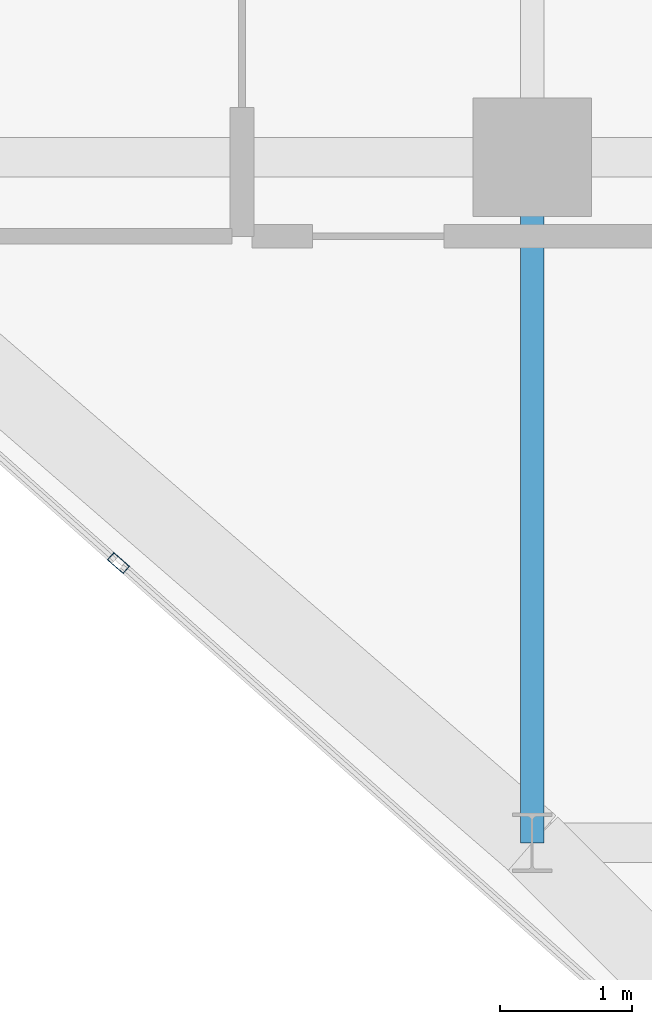
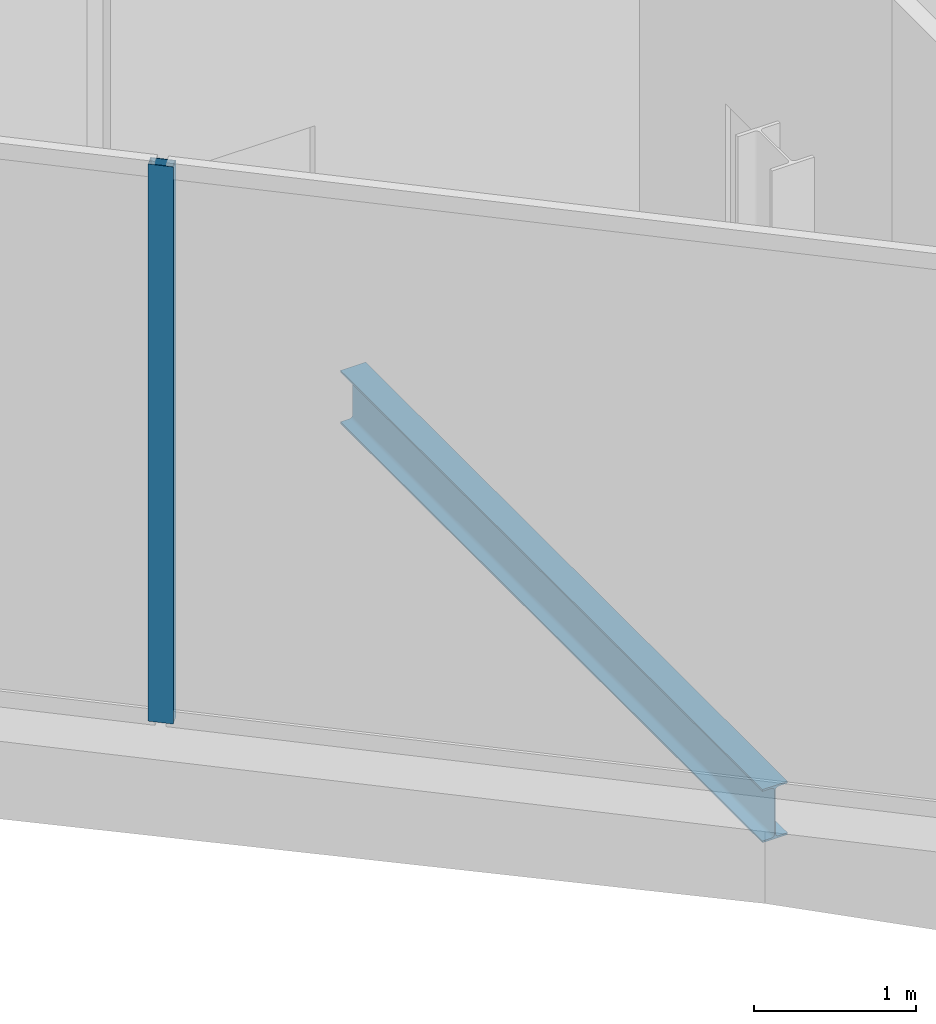
# One storey, part 4 of 28: 1 beam, 1 member, 1 element without a shape of its own.
"""IFC4 building model written with IfcOpenShell, lengths in metres."""

from ifc_helpers import new_model, si_unit, direction, frame, origin, origin_2d, place, context, subcontext, project, spatial, hollow_rectangle, i_section, extrude, material, layer, layer_set, material_profile, profile_set, type_object, element, aggregate, save


model = new_model("IFC4")

# Units and contexts
model_context = context("Model", 3, precision=1e-05, world=origin(), true_north=direction((0.0, 1.0)))
body_context = subcontext(model_context, "Body", "Model", "MODEL_VIEW")
ifc_project = project(units=[si_unit("LENGTHUNIT", "METRE"), si_unit("AREAUNIT", "SQUARE_METRE"), si_unit("VOLUMEUNIT", "CUBIC_METRE"), si_unit("PLANEANGLEUNIT", "RADIAN"), si_unit("MASSUNIT", "GRAM", prefix="KILO")], contexts=[model_context])

# Site, building, storey
site_placement = place(None, origin())
site = spatial("IfcSite", under=ifc_project, at=site_placement, CompositionType="ELEMENT")
building_placement = place(site_placement, origin())
building = spatial("IfcBuilding", under=site, at=building_placement, Name="Keshet Zoharim Tower", CompositionType="ELEMENT")
storey_placement = place(building_placement, frame((0.0, 0.0, 164.60009765625)))
storey = spatial("IfcBuildingStorey", under=building, at=storey_placement, Name="L40", CompositionType="ELEMENT", Elevation=164.60009765625)

# Beam
ifc_material_1 = material(Name="Steel S355", Category="steel")
ifc_material_profile_1 = material_profile(ifc_material_1, i_section(OverallWidth=0.179931640625, OverallDepth=0.39990234375, WebThickness=0.008544921875, FlangeThickness=0.013427734375, FilletRadius=0.02099609375, at=origin_2d()), Name="IPE400")
ifc_profile_set_1 = profile_set([ifc_material_profile_1], Name="Steel S355")
beam_type = type_object("IfcBeamType", Name="BM-PRI-IP400", PredefinedType="BEAM", material=ifc_profile_set_1)
beam_placement = place(storey_placement, frame((15.0, 12.699951171875, -0.510009765625), z_axis=(0.0, 1.0, 0.0), x_axis=(-1.0, 0.0, 0.0)))
element("IfcBeam", 1, at=beam_placement, inside=storey, type_object=beam_type, Name="L40 Primary Girder Y-002", PredefinedType="BEAM", context=body_context, shape_type="SweptSolid", body=[
    extrude(i_section(OverallWidth=0.179931640625, OverallDepth=0.39990234375, WebThickness=0.008544921875, FlangeThickness=0.013427734375, FilletRadius=0.02099609375, at=origin_2d()), origin(), (0.0, 0.0, 1.0), 5.199951171875),
])

# Curtain wall, member
ifc_material_2 = material(Name="Aluminium 6063-T6", Category="aluminium")
ifc_layer = layer(ifc_material_2, 0.139892578125)
ifc_layer_set = layer_set([ifc_layer], Name="Aluminium 6063-T6")
curtain_wall_type = type_object("IfcCurtainWallType", Name="CW-SYS-05", PredefinedType="NOTDEFINED", material=ifc_layer_set)
curtain_wall_placement = place(storey_placement, origin())
curtain_wall = element("IfcCurtainWall", 2, at=curtain_wall_placement, inside=storey, type_object=curtain_wall_type, Name="L40 Unitised Curtain Wall 10 Part 2", PredefinedType="NOTDEFINED")
ifc_material_profile_2 = material_profile(ifc_material_2, hollow_rectangle(XDim=0.074951171875, YDim=0.159912109375, WallThickness=0.00390625, at=origin_2d()), Name="MUL-75x160")
ifc_profile_set_2 = profile_set([ifc_material_profile_2], Name="Aluminium 6063-T6")
member_type = type_object("IfcMemberType", Name="CWM-M15", PredefinedType="MULLION", material=ifc_profile_set_2)
member_placement = place(storey_placement, frame((11.86328125, 14.821533203125, 0.0), z_axis=(0.0, 0.0, 1.0), x_axis=(-0.664364431432, -0.747408791925, 0.0)))
member = element("IfcMember", 3, at=member_placement, type_object=member_type, Name="CW-05 mullion 2", PredefinedType="MULLION", context=body_context, shape_type="SweptSolid", body=[
    extrude(hollow_rectangle(XDim=0.074951171875, YDim=0.159912109375, WallThickness=0.00390625, at=origin_2d()), origin(), (0.0, 0.0, 1.0), 4.18994140625),
])
aggregate(curtain_wall, [member])

save(model, "model.ifc")
